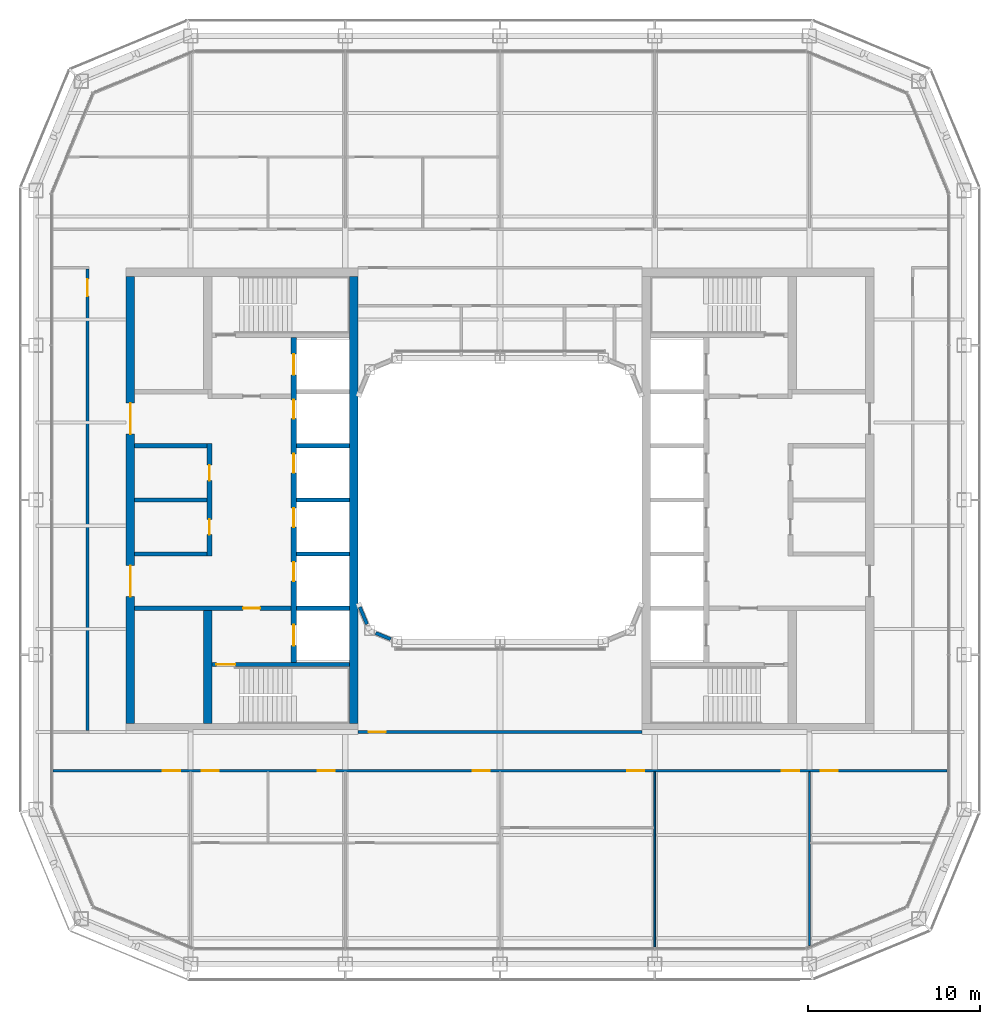
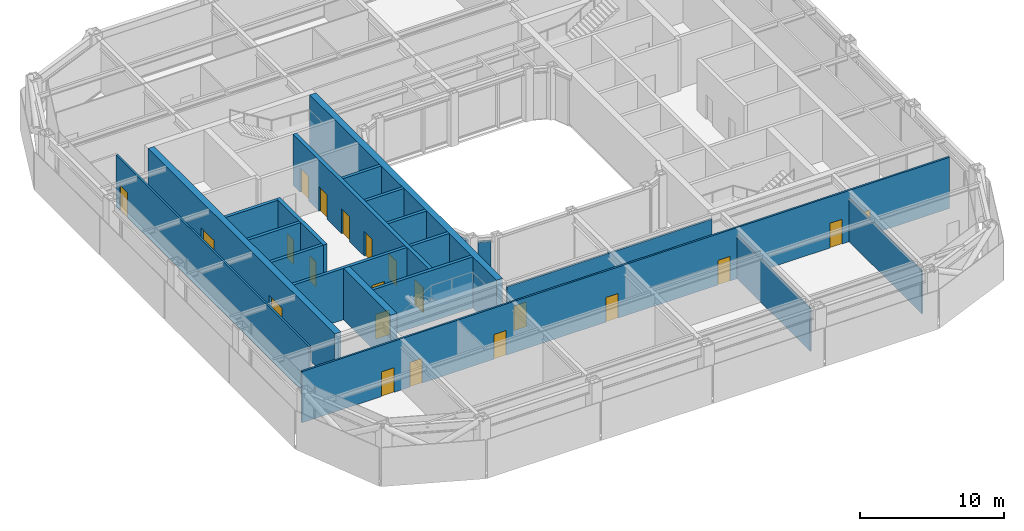
# One storey, part 12 of 19: 21 doors, 21 walls, 21 openings.
"""IFC4 building model written with IfcOpenShell, lengths in metres."""

from ifc_helpers import new_model, si_unit, direction, frame, frame_2d, origin, place, context, subcontext, project, spatial, rectangle, extrude, material, layer, layer_set, type_object, element, fill, save


model = new_model("IFC4")

# Units and contexts
model_context = context("Model", 3, precision=1e-05, world=origin(), true_north=direction((0.0, 1.0)))
body_context = subcontext(model_context, "Body", "Model", "MODEL_VIEW")
ifc_project = project(units=[si_unit("LENGTHUNIT", "METRE"), si_unit("AREAUNIT", "SQUARE_METRE"), si_unit("VOLUMEUNIT", "CUBIC_METRE"), si_unit("PLANEANGLEUNIT", "RADIAN"), si_unit("MASSUNIT", "GRAM", prefix="KILO")], contexts=[model_context])

# Site, building, storey
site_placement = place(None, origin())
site = spatial("IfcSite", under=ifc_project, at=site_placement, CompositionType="ELEMENT")
building_placement = place(site_placement, origin())
building = spatial("IfcBuilding", under=site, at=building_placement, Name="Siwar Civic Tower", CompositionType="ELEMENT")
storey_placement = place(building_placement, frame((0.0, 0.0, 228.699951171875)))
storey = spatial("IfcBuildingStorey", under=building, at=storey_placement, Name="L49", CompositionType="ELEMENT", Elevation=228.699951171875)

# Wall, opening, door
ifc_material_1 = material(Name="Concrete C60/75", Category="concrete")
ifc_layer_1 = layer(ifc_material_1, 0.25)
ifc_layer_set_1 = layer_set([ifc_layer_1], Name="Concrete C60/75")
wall_type_1 = type_object("IfcWallType", Name="CORE-WALL-RC250", PredefinedType="SHEAR", material=ifc_layer_set_1)
wall_1_placement = place(storey_placement, frame((-12.14990234375, -6.300048828125, 0.0), z_axis=(0.0, 0.0, 1.0), x_axis=(-1.0, 0.0, 0.0)))
wall_1 = element("IfcWall", 1, at=wall_1_placement, inside=storey, type_object=wall_type_1, Name="Core wall W", PredefinedType="SHEAR", context=body_context, shape_type="SweptSolid", body=[
    extrude(rectangle(XDim=9.10009765625, YDim=0.25, at=frame_2d((4.550048828125, 0.0))), origin(), (0.0, 0.0, 1.0), 4.35009765625),
])
opening_1_placement = place(wall_1_placement, frame((1.800048828125, 0.0, 0.0)))
opening_1 = element("IfcOpeningElement", 2, at=opening_1_placement, cuts=wall_1, Name="Opening L49-CW02", PredefinedType="OPENING", context=body_context, shape_type="SweptSolid", body=[
    extrude(rectangle(XDim=1.0, YDim=2.10009765625, at=frame_2d((0.5, 1.050048828125))), frame((0.0, 0.135009765625, 0.0), z_axis=(0.0, -1.0, 0.0), x_axis=(1.0, 0.0, 0.0)), (0.0, 0.0, 1.0), 0.27001953125),
])
ifc_material_2 = material(Name="Steel door leaf", Category="steel")
door_type_1 = type_object("IfcDoorType", Name="CORE-DOOR-FD30S", OperationType="SINGLE_SWING_LEFT", PredefinedType="DOOR", material=ifc_material_2)
door_1_placement = place(opening_1_placement, origin())
door_1 = element("IfcDoor", 3, at=door_1_placement, inside=storey, type_object=door_type_1, Name="Service lobby door L49-CW02", OperationType="SINGLE_SWING_RIGHT", OverallHeight=2.10009765625, OverallWidth=1.0, PredefinedType="DOOR", context=body_context, shape_type="SweptSolid", body=[
    extrude(rectangle(XDim=1.0, YDim=2.10009765625, at=frame_2d((0.5, 1.050048828125))), frame((0.0, 0.02490234375, 0.0), z_axis=(0.0, -1.0, 0.0), x_axis=(1.0, 0.0, 0.0)), (0.0, 0.0, 1.0), 0.050048828125),
])
fill(opening_1, door_1)

# Walls
for number, where, z_axis, x_axis, name in (
    (4, (-17.050048828125, 0.0, 0.0), (0.0, 0.0, 1.0), (-1.0, 0.0, 0.0), "Core wall W"),
    (5, (-17.050048828125, 3.14990234375, 0.0), (0.0, 0.0, 1.0), (-1.0, 0.0, 0.0), "Core wall W"),
    (6, (-17.050048828125, -3.14990234375, 0.0), (0.0, 0.0, 1.0), (-1.0, 0.0, 0.0), "Core wall W"),
):
    element("IfcWall", number, at=place(storey_placement, frame(where, z_axis=z_axis, x_axis=x_axis)), inside=storey, type_object=wall_type_1, Name=name, PredefinedType="SHEAR", context=body_context, shape_type="SweptSolid", body=[
        extrude(rectangle(XDim=4.199951171875, YDim=0.25, at=frame_2d((2.10009765625, 0.0))), origin(), (0.0, 0.0, 1.0), 4.35009765625),
    ])
for number, where, z_axis, x_axis, name in (
    (7, (-8.75, 0.0, 0.0), (0.0, 0.0, 1.0), (-1.0, 0.0, 0.0), "Core wall W"),
    (8, (-8.75, 3.14990234375, 0.0), (0.0, 0.0, 1.0), (-1.0, 0.0, 0.0), "Core wall W"),
    (9, (-8.75, -3.14990234375, 0.0), (0.0, 0.0, 1.0), (-1.0, 0.0, 0.0), "Core wall W"),
    (10, (-8.75, -6.300048828125, 0.0), (0.0, 0.0, 1.0), (-1.0, 0.0, 0.0), "Core wall W"),
):
    element("IfcWall", number, at=place(storey_placement, frame(where, z_axis=z_axis, x_axis=x_axis)), inside=storey, type_object=wall_type_1, Name=name, PredefinedType="SHEAR", context=body_context, shape_type="SweptSolid", body=[
        extrude(rectangle(XDim=3.10009765625, YDim=0.25, at=frame_2d((1.550048828125, 0.0))), origin(), (0.0, 0.0, 1.0), 4.35009765625),
    ])

# Wall, opening, door
wall_2_placement = place(storey_placement, frame((-8.75, -9.574951171875, 0.0), z_axis=(0.0, 0.0, 1.0), x_axis=(-1.0, 0.0, 0.0)))
wall_2 = element("IfcWall", 11, at=wall_2_placement, inside=storey, type_object=wall_type_1, Name="Core wall W", PredefinedType="SHEAR", context=body_context, shape_type="SweptSolid", body=[
    extrude(rectangle(XDim=8.0, YDim=0.25, at=frame_2d((4.0, 0.0))), origin(), (0.0, 0.0, 1.0), 4.35009765625),
])
opening_2_placement = place(wall_2_placement, frame((6.64990234375, 0.0, 0.0)))
opening_2 = element("IfcOpeningElement", 12, at=opening_2_placement, cuts=wall_2, Name="Opening L49-CW04", PredefinedType="OPENING", context=body_context, shape_type="SweptSolid", body=[
    extrude(rectangle(XDim=1.10009765625, YDim=2.10009765625, at=frame_2d((0.550048828125, 1.050048828125))), frame((0.0, 0.135009765625, 0.0), z_axis=(0.0, -1.0, 0.0), x_axis=(1.0, 0.0, 0.0)), (0.0, 0.0, 1.0), 0.27001953125),
])
ifc_material_3 = material(Name="Steel door leaf", Category="steel")
door_type_2 = type_object("IfcDoorType", Name="CORE-DOOR-FD60S", OperationType="SINGLE_SWING_LEFT", PredefinedType="DOOR", material=ifc_material_3)
door_2_placement = place(opening_2_placement, origin())
door_2 = element("IfcDoor", 13, at=door_2_placement, inside=storey, type_object=door_type_2, Name="Stair door L49-CW04", OperationType="SINGLE_SWING_LEFT", OverallHeight=2.10009765625, OverallWidth=1.10009765625, PredefinedType="DOOR", context=body_context, shape_type="SweptSolid", body=[
    extrude(rectangle(XDim=1.10009765625, YDim=2.10009765625, at=frame_2d((0.550048828125, 1.050048828125))), frame((0.0, 0.02490234375, 0.0), z_axis=(0.0, -1.0, 0.0), x_axis=(1.0, 0.0, 0.0)), (0.0, 0.0, 1.0), 0.050048828125),
])
fill(opening_2, door_2)

# Wall, openings, doors
ifc_material_4 = material(Name="Concrete C60/75", Category="concrete")
ifc_layer_2 = layer(ifc_material_4, 0.300048828125)
ifc_layer_set_2 = layer_set([ifc_layer_2], Name="Concrete C60/75")
wall_type_2 = type_object("IfcWallType", Name="CORE-WALL-RC300", PredefinedType="SHEAR", material=ifc_layer_set_2)
wall_3_placement = place(storey_placement, frame((-12.0, -9.449951171875, 0.0), z_axis=(0.0, 0.0, 1.0), x_axis=(0.0, 1.0, 0.0)))
wall_3 = element("IfcWall", 14, at=wall_3_placement, inside=storey, type_object=wall_type_2, Name="Core wall W", PredefinedType="SHEAR", context=body_context, shape_type="SweptSolid", body=[
    extrude(rectangle(XDim=18.89990234375, YDim=0.300048828125, at=frame_2d((9.449951171875, 0.0))), origin(), (0.0, 0.0, 1.0), 4.35009765625),
])
opening_3_placement = place(wall_3_placement, frame((4.72509765625, 0.0, 0.0)))
opening_3 = element("IfcOpeningElement", 15, at=opening_3_placement, cuts=wall_3, Name="Opening L49-CW07", PredefinedType="OPENING", context=body_context, shape_type="SweptSolid", body=[
    extrude(rectangle(XDim=1.10009765625, YDim=2.10009765625, at=frame_2d((0.550048828125, 1.050048828125))), frame((0.0, 0.16015625, 0.0), z_axis=(0.0, -1.0, 0.0), x_axis=(1.0, 0.0, 0.0)), (0.0, 0.0, 1.0), 0.320068359375),
])
opening_4_placement = place(wall_3_placement, frame((7.875, 0.0, 0.0)))
opening_4 = element("IfcOpeningElement", 16, at=opening_4_placement, cuts=wall_3, Name="Opening L49-CW08", PredefinedType="OPENING", context=body_context, shape_type="SweptSolid", body=[
    extrude(rectangle(XDim=1.10009765625, YDim=2.10009765625, at=frame_2d((0.550048828125, 1.050048828125))), frame((0.0, 0.16015625, 0.0), z_axis=(0.0, -1.0, 0.0), x_axis=(1.0, 0.0, 0.0)), (0.0, 0.0, 1.0), 0.320068359375),
])
opening_5_placement = place(wall_3_placement, frame((11.02490234375, 0.0, 0.0)))
opening_5 = element("IfcOpeningElement", 17, at=opening_5_placement, cuts=wall_3, Name="Opening L49-CW09", PredefinedType="OPENING", context=body_context, shape_type="SweptSolid", body=[
    extrude(rectangle(XDim=1.10009765625, YDim=2.10009765625, at=frame_2d((0.550048828125, 1.050048828125))), frame((0.0, 0.16015625, 0.0), z_axis=(0.0, -1.0, 0.0), x_axis=(1.0, 0.0, 0.0)), (0.0, 0.0, 1.0), 0.320068359375),
])
opening_6_placement = place(wall_3_placement, frame((14.175048828125, 0.0, 0.0)))
opening_6 = element("IfcOpeningElement", 18, at=opening_6_placement, cuts=wall_3, Name="Opening L49-CW10", PredefinedType="OPENING", context=body_context, shape_type="SweptSolid", body=[
    extrude(rectangle(XDim=1.10009765625, YDim=2.10009765625, at=frame_2d((0.550048828125, 1.050048828125))), frame((0.0, 0.16015625, 0.0), z_axis=(0.0, -1.0, 0.0), x_axis=(1.0, 0.0, 0.0)), (0.0, 0.0, 1.0), 0.320068359375),
])
opening_7_placement = place(wall_3_placement, frame((16.72509765625, 0.0, 0.0)))
opening_7 = element("IfcOpeningElement", 19, at=opening_7_placement, cuts=wall_3, Name="Opening L49-CW11", PredefinedType="OPENING", context=body_context, shape_type="SweptSolid", body=[
    extrude(rectangle(XDim=1.199951171875, YDim=2.10009765625, at=frame_2d((0.60009765625, 1.050048828125))), frame((0.0, 0.16015625, 0.0), z_axis=(0.0, -1.0, 0.0), x_axis=(1.0, 0.0, 0.0)), (0.0, 0.0, 1.0), 0.320068359375),
])
opening_8_placement = place(wall_3_placement, frame((0.97509765625, 0.0, 0.0)))
opening_8 = element("IfcOpeningElement", 20, at=opening_8_placement, cuts=wall_3, Name="Opening L49-CW12", PredefinedType="OPENING", context=body_context, shape_type="SweptSolid", body=[
    extrude(rectangle(XDim=1.199951171875, YDim=2.10009765625, at=frame_2d((0.60009765625, 1.050048828125))), frame((0.0, 0.16015625, 0.0), z_axis=(0.0, -1.0, 0.0), x_axis=(1.0, 0.0, 0.0)), (0.0, 0.0, 1.0), 0.320068359375),
])
ifc_material_5 = material(Name="Steel door leaf", Category="steel")
door_type_3 = type_object("IfcDoorType", Name="CORE-DOOR-LD", OperationType="DOUBLE_DOOR_SLIDING", PredefinedType="DOOR", material=ifc_material_5)
door_3_placement = place(opening_3_placement, origin())
door_3 = element("IfcDoor", 21, at=door_3_placement, inside=storey, type_object=door_type_3, Name="Landing door HR1 L49-CW07", OperationType="DOUBLE_DOOR_SLIDING", OverallHeight=2.10009765625, OverallWidth=1.10009765625, PredefinedType="DOOR", context=body_context, shape_type="SweptSolid", body=[
    extrude(rectangle(XDim=1.10009765625, YDim=2.10009765625, at=frame_2d((0.550048828125, 1.050048828125))), frame((0.0, 0.02490234375, 0.0), z_axis=(0.0, -1.0, 0.0), x_axis=(1.0, 0.0, 0.0)), (0.0, 0.0, 1.0), 0.050048828125),
])
fill(opening_3, door_3)
door_4_placement = place(opening_4_placement, origin())
door_4 = element("IfcDoor", 22, at=door_4_placement, inside=storey, type_object=door_type_3, Name="Landing door HR2 L49-CW08", OperationType="DOUBLE_DOOR_SLIDING", OverallHeight=2.10009765625, OverallWidth=1.10009765625, PredefinedType="DOOR", context=body_context, shape_type="SweptSolid", body=[
    extrude(rectangle(XDim=1.10009765625, YDim=2.10009765625, at=frame_2d((0.550048828125, 1.050048828125))), frame((0.0, 0.02490234375, 0.0), z_axis=(0.0, -1.0, 0.0), x_axis=(1.0, 0.0, 0.0)), (0.0, 0.0, 1.0), 0.050048828125),
])
fill(opening_4, door_4)
door_5_placement = place(opening_5_placement, origin())
door_5 = element("IfcDoor", 23, at=door_5_placement, inside=storey, type_object=door_type_3, Name="Landing door HR3 L49-CW09", OperationType="DOUBLE_DOOR_SLIDING", OverallHeight=2.10009765625, OverallWidth=1.10009765625, PredefinedType="DOOR", context=body_context, shape_type="SweptSolid", body=[
    extrude(rectangle(XDim=1.10009765625, YDim=2.10009765625, at=frame_2d((0.550048828125, 1.050048828125))), frame((0.0, 0.02490234375, 0.0), z_axis=(0.0, -1.0, 0.0), x_axis=(1.0, 0.0, 0.0)), (0.0, 0.0, 1.0), 0.050048828125),
])
fill(opening_5, door_5)
door_6_placement = place(opening_6_placement, origin())
door_6 = element("IfcDoor", 24, at=door_6_placement, inside=storey, type_object=door_type_3, Name="Landing door HR4 L49-CW10", OperationType="DOUBLE_DOOR_SLIDING", OverallHeight=2.10009765625, OverallWidth=1.10009765625, PredefinedType="DOOR", context=body_context, shape_type="SweptSolid", body=[
    extrude(rectangle(XDim=1.10009765625, YDim=2.10009765625, at=frame_2d((0.550048828125, 1.050048828125))), frame((0.0, 0.02490234375, 0.0), z_axis=(0.0, -1.0, 0.0), x_axis=(1.0, 0.0, 0.0)), (0.0, 0.0, 1.0), 0.050048828125),
])
fill(opening_6, door_6)
ifc_material_6 = material(Name="Steel door leaf", Category="steel")
door_type_4 = type_object("IfcDoorType", Name="CORE-DOOR-LDW", OperationType="DOUBLE_DOOR_SLIDING", PredefinedType="DOOR", material=ifc_material_6)
door_7_placement = place(opening_7_placement, origin())
door_7 = element("IfcDoor", 25, at=door_7_placement, inside=storey, type_object=door_type_4, Name="Landing door FF1 L49-CW11", OperationType="DOUBLE_DOOR_SLIDING", OverallHeight=2.10009765625, OverallWidth=1.199951171875, PredefinedType="DOOR", context=body_context, shape_type="SweptSolid", body=[
    extrude(rectangle(XDim=1.199951171875, YDim=2.10009765625, at=frame_2d((0.60009765625, 1.050048828125))), frame((0.0, 0.02490234375, 0.0), z_axis=(0.0, -1.0, 0.0), x_axis=(1.0, 0.0, 0.0)), (0.0, 0.0, 1.0), 0.050048828125),
])
fill(opening_7, door_7)
door_8_placement = place(opening_8_placement, origin())
door_8 = element("IfcDoor", 26, at=door_8_placement, inside=storey, type_object=door_type_4, Name="Landing door SV1 L49-CW12", OperationType="DOUBLE_DOOR_SLIDING", OverallHeight=2.10009765625, OverallWidth=1.199951171875, PredefinedType="DOOR", context=body_context, shape_type="SweptSolid", body=[
    extrude(rectangle(XDim=1.199951171875, YDim=2.10009765625, at=frame_2d((0.60009765625, 1.050048828125))), frame((0.0, 0.02490234375, 0.0), z_axis=(0.0, -1.0, 0.0), x_axis=(1.0, 0.0, 0.0)), (0.0, 0.0, 1.0), 0.050048828125),
])
fill(opening_8, door_8)

wall_4_placement = place(storey_placement, frame((-16.89990234375, -3.27490234375, 0.0), z_axis=(0.0, 0.0, 1.0), x_axis=(0.0, 1.0, 0.0)))
wall_4 = element("IfcWall", 27, at=wall_4_placement, inside=storey, type_object=wall_type_2, Name="Core wall W", PredefinedType="SHEAR", context=body_context, shape_type="SweptSolid", body=[
    extrude(rectangle(XDim=6.5498046875, YDim=0.300048828125, at=frame_2d((3.27490234375, 0.0))), origin(), (0.0, 0.0, 1.0), 4.35009765625),
])
opening_9_placement = place(wall_4_placement, frame((1.25, 0.0, 0.0)))
opening_9 = element("IfcOpeningElement", 28, at=opening_9_placement, cuts=wall_4, Name="Opening L49-CW13", PredefinedType="OPENING", context=body_context, shape_type="SweptSolid", body=[
    extrude(rectangle(XDim=0.89990234375, YDim=2.10009765625, at=frame_2d((0.449951171875, 1.050048828125))), frame((0.0, 0.16015625, 0.0), z_axis=(0.0, -1.0, 0.0), x_axis=(1.0, 0.0, 0.0)), (0.0, 0.0, 1.0), 0.320068359375),
])
opening_10_placement = place(wall_4_placement, frame((4.39990234375, 0.0, 0.0)))
opening_10 = element("IfcOpeningElement", 29, at=opening_10_placement, cuts=wall_4, Name="Opening L49-CW14", PredefinedType="OPENING", context=body_context, shape_type="SweptSolid", body=[
    extrude(rectangle(XDim=0.89990234375, YDim=2.10009765625, at=frame_2d((0.449951171875, 1.050048828125))), frame((0.0, 0.16015625, 0.0), z_axis=(0.0, -1.0, 0.0), x_axis=(1.0, 0.0, 0.0)), (0.0, 0.0, 1.0), 0.320068359375),
])
ifc_material_7 = material(Name="Steel door leaf", Category="steel")
door_type_5 = type_object("IfcDoorType", Name="CORE-DOOR-ROOM", OperationType="SINGLE_SWING_LEFT", PredefinedType="DOOR", material=ifc_material_7)
door_9_placement = place(opening_9_placement, origin())
door_9 = element("IfcDoor", 30, at=door_9_placement, inside=storey, type_object=door_type_5, Name="Core room door L49-CW13", OperationType="SINGLE_SWING_LEFT", OverallHeight=2.10009765625, OverallWidth=0.89990234375, PredefinedType="DOOR", context=body_context, shape_type="SweptSolid", body=[
    extrude(rectangle(XDim=0.89990234375, YDim=2.10009765625, at=frame_2d((0.449951171875, 1.050048828125))), frame((0.0, 0.02490234375, 0.0), z_axis=(0.0, -1.0, 0.0), x_axis=(1.0, 0.0, 0.0)), (0.0, 0.0, 1.0), 0.050048828125),
])
fill(opening_9, door_9)
door_10_placement = place(opening_10_placement, origin())
door_10 = element("IfcDoor", 31, at=door_10_placement, inside=storey, type_object=door_type_5, Name="Core room door L49-CW14", OperationType="SINGLE_SWING_RIGHT", OverallHeight=2.10009765625, OverallWidth=0.89990234375, PredefinedType="DOOR", context=body_context, shape_type="SweptSolid", body=[
    extrude(rectangle(XDim=0.89990234375, YDim=2.10009765625, at=frame_2d((0.449951171875, 1.050048828125))), frame((0.0, 0.02490234375, 0.0), z_axis=(0.0, -1.0, 0.0), x_axis=(1.0, 0.0, 0.0)), (0.0, 0.0, 1.0), 0.050048828125),
])
fill(opening_10, door_10)

ifc_material_8 = material(Name="Concrete C60/75", Category="concrete")
ifc_layer_3 = layer(ifc_material_8, 0.5)
ifc_layer_set_3 = layer_set([ifc_layer_3], Name="Concrete C60/75")
wall_type_3 = type_object("IfcWallType", Name="CORE-WALL-RC500", PredefinedType="SHEAR", material=ifc_layer_set_3)
wall_5_placement = place(storey_placement, frame((-21.5, -13.0, 0.0), z_axis=(0.0, 0.0, 1.0), x_axis=(0.0, 1.0, 0.0)))
wall_5 = element("IfcWall", 32, at=wall_5_placement, inside=storey, type_object=wall_type_3, Name="Core wall W", PredefinedType="SHEAR", context=body_context, shape_type="SweptSolid", body=[
    extrude(rectangle(XDim=26.0, YDim=0.5, at=frame_2d((13.0, 0.0))), origin(), (0.0, 0.0, 1.0), 4.35009765625),
])
opening_11_placement = place(wall_5_placement, frame((16.824951171875, 0.0, 0.0)))
opening_11 = element("IfcOpeningElement", 33, at=opening_11_placement, cuts=wall_5, Name="Opening L49-CW05", PredefinedType="OPENING", context=body_context, shape_type="SweptSolid", body=[
    extrude(rectangle(XDim=1.800048828125, YDim=2.10009765625, at=frame_2d((0.89990234375, 1.050048828125))), frame((0.0, 0.260009765625, 0.0), z_axis=(0.0, -1.0, 0.0), x_axis=(1.0, 0.0, 0.0)), (0.0, 0.0, 1.0), 0.52001953125),
])
opening_12_placement = place(wall_5_placement, frame((7.375, 0.0, 0.0)))
opening_12 = element("IfcOpeningElement", 34, at=opening_12_placement, cuts=wall_5, Name="Opening L49-CW06", PredefinedType="OPENING", context=body_context, shape_type="SweptSolid", body=[
    extrude(rectangle(XDim=1.800048828125, YDim=2.10009765625, at=frame_2d((0.89990234375, 1.050048828125))), frame((0.0, 0.260009765625, 0.0), z_axis=(0.0, -1.0, 0.0), x_axis=(1.0, 0.0, 0.0)), (0.0, 0.0, 1.0), 0.52001953125),
])
ifc_material_9 = material(Name="Steel door leaf", Category="steel")
door_type_6 = type_object("IfcDoorType", Name="CORE-DOOR-PORT", OperationType="DOUBLE_DOOR_DOUBLE_SWING", PredefinedType="DOOR", material=ifc_material_9)
door_11_placement = place(opening_11_placement, origin())
door_11 = element("IfcDoor", 35, at=door_11_placement, inside=storey, type_object=door_type_6, Name="Core entrance door L49-CW05", OperationType="DOUBLE_DOOR_DOUBLE_SWING", OverallHeight=2.10009765625, OverallWidth=1.800048828125, PredefinedType="DOOR", context=body_context, shape_type="SweptSolid", body=[
    extrude(rectangle(XDim=1.800048828125, YDim=2.10009765625, at=frame_2d((0.89990234375, 1.050048828125))), frame((0.0, 0.02490234375, 0.0), z_axis=(0.0, -1.0, 0.0), x_axis=(1.0, 0.0, 0.0)), (0.0, 0.0, 1.0), 0.050048828125),
])
fill(opening_11, door_11)
door_12_placement = place(opening_12_placement, origin())
door_12 = element("IfcDoor", 36, at=door_12_placement, inside=storey, type_object=door_type_6, Name="Core entrance door L49-CW06", OperationType="DOUBLE_DOOR_DOUBLE_SWING", OverallHeight=2.10009765625, OverallWidth=1.800048828125, PredefinedType="DOOR", context=body_context, shape_type="SweptSolid", body=[
    extrude(rectangle(XDim=1.800048828125, YDim=2.10009765625, at=frame_2d((0.89990234375, 1.050048828125))), frame((0.0, 0.02490234375, 0.0), z_axis=(0.0, -1.0, 0.0), x_axis=(1.0, 0.0, 0.0)), (0.0, 0.0, 1.0), 0.050048828125),
])
fill(opening_12, door_12)

# Walls
wall_6_placement = place(storey_placement, frame((-17.0, -13.0, 0.0), z_axis=(0.0, 0.0, 1.0), x_axis=(0.0, 1.0, 0.0)))
element("IfcWall", 37, at=wall_6_placement, inside=storey, type_object=wall_type_3, Name="Core wall W", PredefinedType="SHEAR", context=body_context, shape_type="SweptSolid", body=[
    extrude(rectangle(XDim=6.574951171875, YDim=0.5, at=frame_2d((3.28759765625, 0.0))), origin(), (0.0, 0.0, 1.0), 4.35009765625),
])
ifc_material_10 = material(Name="Concrete C60/75", Category="concrete")
ifc_layer_4 = layer(ifc_material_10, 0.5)
ifc_layer_set_4 = layer_set([ifc_layer_4], Name="Concrete C60/75")
wall_type_4 = type_object("IfcWallType", Name="CORE-WALL-RC500-EXT", PredefinedType="SHEAR", material=ifc_layer_set_4)
wall_7_placement = place(storey_placement, frame((-8.5, -13.0, 0.0), z_axis=(0.0, 0.0, 1.0), x_axis=(0.0, 1.0, 0.0)))
element("IfcWall", 38, at=wall_7_placement, inside=storey, type_object=wall_type_4, Name="Core wall W", PredefinedType="SHEAR", context=body_context, shape_type="SweptSolid", body=[
    extrude(rectangle(XDim=26.0, YDim=0.5, at=frame_2d((13.0, 0.0))), origin(), (0.0, 0.0, 1.0), 4.35009765625),
])

# Wall, openings, doors
ifc_material_11 = material(Name="Gypsum board on steel studs", Category="steel")
ifc_layer_5 = layer(ifc_material_11, 0.14990234375)
ifc_layer_set_5 = layer_set([ifc_layer_5], Name="Gypsum board on steel studs")
wall_type_5 = type_object("IfcWallType", Name="CORRIDOR PARTITION 150 EI 30", PredefinedType="PARTITIONING", material=ifc_layer_set_5)
wall_8_placement = place(storey_placement, frame((-26.010009765625, -15.75, 0.0), z_axis=(0.0, 0.0, 1.0), x_axis=(1.0, 0.0, 0.0)))
wall_8 = element("IfcWall", 39, at=wall_8_placement, inside=storey, type_object=wall_type_5, Name="L49/wall/P04", PredefinedType="PARTITIONING", context=body_context, shape_type="SweptSolid", body=[
    extrude(rectangle(XDim=52.02001953125, YDim=0.14990234375, at=frame_2d((26.010009765625, 0.0))), origin(), (0.0, 0.0, 1.0), 4.35009765625),
])
opening_13_placement = place(wall_8_placement, frame((8.659912109375, 0.0, 0.0)))
opening_13 = element("IfcOpeningElement", 40, at=opening_13_placement, cuts=wall_8, Name="Opening D1", PredefinedType="OPENING", context=body_context, shape_type="SweptSolid", body=[
    extrude(rectangle(XDim=1.0, YDim=2.10009765625, at=frame_2d((0.5, 1.050048828125))), frame((0.0, 0.0849609375, 0.0), z_axis=(0.0, -1.0, 0.0), x_axis=(1.0, 0.0, 0.0)), (0.0, 0.0, 1.0), 0.169921875),
])
opening_14_placement = place(wall_8_placement, frame((15.409912109375, 0.0, 0.0)))
opening_14 = element("IfcOpeningElement", 41, at=opening_14_placement, cuts=wall_8, Name="Opening D1", PredefinedType="OPENING", context=body_context, shape_type="SweptSolid", body=[
    extrude(rectangle(XDim=1.0, YDim=2.10009765625, at=frame_2d((0.5, 1.050048828125))), frame((0.0, 0.0849609375, 0.0), z_axis=(0.0, -1.0, 0.0), x_axis=(1.0, 0.0, 0.0)), (0.0, 0.0, 1.0), 0.169921875),
])
opening_15_placement = place(wall_8_placement, frame((24.409912109375, 0.0, 0.0)))
opening_15 = element("IfcOpeningElement", 42, at=opening_15_placement, cuts=wall_8, Name="Opening D1", PredefinedType="OPENING", context=body_context, shape_type="SweptSolid", body=[
    extrude(rectangle(XDim=1.0, YDim=2.10009765625, at=frame_2d((0.5, 1.050048828125))), frame((0.0, 0.0849609375, 0.0), z_axis=(0.0, -1.0, 0.0), x_axis=(1.0, 0.0, 0.0)), (0.0, 0.0, 1.0), 0.169921875),
])
opening_16_placement = place(wall_8_placement, frame((33.409912109375, 0.0, 0.0)))
opening_16 = element("IfcOpeningElement", 43, at=opening_16_placement, cuts=wall_8, Name="Opening D1", PredefinedType="OPENING", context=body_context, shape_type="SweptSolid", body=[
    extrude(rectangle(XDim=1.0, YDim=2.10009765625, at=frame_2d((0.5, 1.050048828125))), frame((0.0, 0.0849609375, 0.0), z_axis=(0.0, -1.0, 0.0), x_axis=(1.0, 0.0, 0.0)), (0.0, 0.0, 1.0), 0.169921875),
])
opening_17_placement = place(wall_8_placement, frame((42.409912109375, 0.0, 0.0)))
opening_17 = element("IfcOpeningElement", 44, at=opening_17_placement, cuts=wall_8, Name="Opening D1", PredefinedType="OPENING", context=body_context, shape_type="SweptSolid", body=[
    extrude(rectangle(XDim=1.0, YDim=2.10009765625, at=frame_2d((0.5, 1.050048828125))), frame((0.0, 0.0849609375, 0.0), z_axis=(0.0, -1.0, 0.0), x_axis=(1.0, 0.0, 0.0)), (0.0, 0.0, 1.0), 0.169921875),
])
opening_18_placement = place(wall_8_placement, frame((6.39990234375, 0.0, 0.0)))
opening_18 = element("IfcOpeningElement", 45, at=opening_18_placement, cuts=wall_8, Name="Opening D1", PredefinedType="OPENING", context=body_context, shape_type="SweptSolid", body=[
    extrude(rectangle(XDim=1.0, YDim=2.10009765625, at=frame_2d((0.5, 1.050048828125))), frame((0.0, 0.0849609375, 0.0), z_axis=(0.0, -1.0, 0.0), x_axis=(1.0, 0.0, 0.0)), (0.0, 0.0, 1.0), 0.169921875),
])
opening_19_placement = place(wall_8_placement, frame((44.659912109375, 0.0, 0.0)))
opening_19 = element("IfcOpeningElement", 46, at=opening_19_placement, cuts=wall_8, Name="Opening D1", PredefinedType="OPENING", context=body_context, shape_type="SweptSolid", body=[
    extrude(rectangle(XDim=1.0, YDim=2.10009765625, at=frame_2d((0.5, 1.050048828125))), frame((0.0, 0.0849609375, 0.0), z_axis=(0.0, -1.0, 0.0), x_axis=(1.0, 0.0, 0.0)), (0.0, 0.0, 1.0), 0.169921875),
])
ifc_material_12 = material(Name="Timber, painted", Category="wood")
door_type_7 = type_object("IfcDoorType", Name="DOOR 1000 X 2100 FD30", OperationType="SINGLE_SWING_LEFT", PredefinedType="DOOR", material=ifc_material_12)
door_13_placement = place(opening_13_placement, origin())
door_13 = element("IfcDoor", 47, at=door_13_placement, inside=storey, type_object=door_type_7, Name="L49-D09", OperationType="SINGLE_SWING_LEFT", OverallHeight=2.10009765625, OverallWidth=1.0, PredefinedType="DOOR", context=body_context, shape_type="SweptSolid", body=[
    extrude(rectangle(XDim=1.0, YDim=2.10009765625, at=frame_2d((0.5, 1.050048828125))), frame((0.0, 0.02490234375, 0.0), z_axis=(0.0, -1.0, 0.0), x_axis=(1.0, 0.0, 0.0)), (0.0, 0.0, 1.0), 0.050048828125),
])
fill(opening_13, door_13)
door_14_placement = place(opening_14_placement, origin())
door_14 = element("IfcDoor", 48, at=door_14_placement, inside=storey, type_object=door_type_7, Name="L49-D10", OperationType="SINGLE_SWING_RIGHT", OverallHeight=2.10009765625, OverallWidth=1.0, PredefinedType="DOOR", context=body_context, shape_type="SweptSolid", body=[
    extrude(rectangle(XDim=1.0, YDim=2.10009765625, at=frame_2d((0.5, 1.050048828125))), frame((0.0, 0.02490234375, 0.0), z_axis=(0.0, -1.0, 0.0), x_axis=(1.0, 0.0, 0.0)), (0.0, 0.0, 1.0), 0.050048828125),
])
fill(opening_14, door_14)
door_15_placement = place(opening_15_placement, origin())
door_15 = element("IfcDoor", 49, at=door_15_placement, inside=storey, type_object=door_type_7, Name="L49-D12", OperationType="SINGLE_SWING_RIGHT", OverallHeight=2.10009765625, OverallWidth=1.0, PredefinedType="DOOR", context=body_context, shape_type="SweptSolid", body=[
    extrude(rectangle(XDim=1.0, YDim=2.10009765625, at=frame_2d((0.5, 1.050048828125))), frame((0.0, 0.02490234375, 0.0), z_axis=(0.0, -1.0, 0.0), x_axis=(1.0, 0.0, 0.0)), (0.0, 0.0, 1.0), 0.050048828125),
])
fill(opening_15, door_15)
door_16_placement = place(opening_16_placement, origin())
door_16 = element("IfcDoor", 50, at=door_16_placement, inside=storey, type_object=door_type_7, Name="L49-D14", OperationType="SINGLE_SWING_RIGHT", OverallHeight=2.10009765625, OverallWidth=1.0, PredefinedType="DOOR", context=body_context, shape_type="SweptSolid", body=[
    extrude(rectangle(XDim=1.0, YDim=2.10009765625, at=frame_2d((0.5, 1.050048828125))), frame((0.0, 0.02490234375, 0.0), z_axis=(0.0, -1.0, 0.0), x_axis=(1.0, 0.0, 0.0)), (0.0, 0.0, 1.0), 0.050048828125),
])
fill(opening_16, door_16)
door_17_placement = place(opening_17_placement, origin())
door_17 = element("IfcDoor", 51, at=door_17_placement, inside=storey, type_object=door_type_7, Name="L49-D16", OperationType="SINGLE_SWING_RIGHT", OverallHeight=2.10009765625, OverallWidth=1.0, PredefinedType="DOOR", context=body_context, shape_type="SweptSolid", body=[
    extrude(rectangle(XDim=1.0, YDim=2.10009765625, at=frame_2d((0.5, 1.050048828125))), frame((0.0, 0.02490234375, 0.0), z_axis=(0.0, -1.0, 0.0), x_axis=(1.0, 0.0, 0.0)), (0.0, 0.0, 1.0), 0.050048828125),
])
fill(opening_17, door_17)
door_18_placement = place(opening_18_placement, origin())
door_18 = element("IfcDoor", 52, at=door_18_placement, inside=storey, type_object=door_type_7, Name="L49-D20", OperationType="SINGLE_SWING_RIGHT", OverallHeight=2.10009765625, OverallWidth=1.0, PredefinedType="DOOR", context=body_context, shape_type="SweptSolid", body=[
    extrude(rectangle(XDim=1.0, YDim=2.10009765625, at=frame_2d((0.5, 1.050048828125))), frame((0.0, 0.02490234375, 0.0), z_axis=(0.0, -1.0, 0.0), x_axis=(1.0, 0.0, 0.0)), (0.0, 0.0, 1.0), 0.050048828125),
])
fill(opening_18, door_18)
door_19_placement = place(opening_19_placement, origin())
door_19 = element("IfcDoor", 53, at=door_19_placement, inside=storey, type_object=door_type_7, Name="L49-D21", OperationType="SINGLE_SWING_LEFT", OverallHeight=2.10009765625, OverallWidth=1.0, PredefinedType="DOOR", context=body_context, shape_type="SweptSolid", body=[
    extrude(rectangle(XDim=1.0, YDim=2.10009765625, at=frame_2d((0.5, 1.050048828125))), frame((0.0, 0.02490234375, 0.0), z_axis=(0.0, -1.0, 0.0), x_axis=(1.0, 0.0, 0.0)), (0.0, 0.0, 1.0), 0.050048828125),
])
fill(opening_19, door_19)

# Wall, opening, door
wall_9_placement = place(storey_placement, frame((-8.25, -13.5, 0.0), z_axis=(0.0, 0.0, 1.0), x_axis=(1.0, 0.0, 0.0)))
wall_9 = element("IfcWall", 54, at=wall_9_placement, inside=storey, type_object=wall_type_5, Name="L49/wall/P06", PredefinedType="PARTITIONING", context=body_context, shape_type="SweptSolid", body=[
    extrude(rectangle(XDim=16.5, YDim=0.14990234375, at=frame_2d((8.25, 0.0))), origin(), (0.0, 0.0, 1.0), 3.949951171875),
])
opening_20_placement = place(wall_9_placement, frame((0.60009765625, 0.0, 0.0)))
opening_20 = element("IfcOpeningElement", 55, at=opening_20_placement, cuts=wall_9, Name="Opening D1", PredefinedType="OPENING", context=body_context, shape_type="SweptSolid", body=[
    extrude(rectangle(XDim=1.0, YDim=2.10009765625, at=frame_2d((0.5, 1.050048828125))), frame((0.0, 0.0849609375, 0.0), z_axis=(0.0, -1.0, 0.0), x_axis=(1.0, 0.0, 0.0)), (0.0, 0.0, 1.0), 0.169921875),
])
door_20_placement = place(opening_20_placement, origin())
door_20 = element("IfcDoor", 56, at=door_20_placement, inside=storey, type_object=door_type_7, Name="L49-D30", OperationType="SINGLE_SWING_RIGHT", OverallHeight=2.10009765625, OverallWidth=1.0, PredefinedType="DOOR", context=body_context, shape_type="SweptSolid", body=[
    extrude(rectangle(XDim=1.0, YDim=2.10009765625, at=frame_2d((0.5, 1.050048828125))), frame((0.0, 0.02490234375, 0.0), z_axis=(0.0, -1.0, 0.0), x_axis=(1.0, 0.0, 0.0)), (0.0, 0.0, 1.0), 0.050048828125),
])
fill(opening_20, door_20)

wall_10_placement = place(storey_placement, frame((-24.0, -13.425048828125, 0.0), z_axis=(0.0, 0.0, 1.0), x_axis=(0.0, 1.0, 0.0)))
wall_10 = element("IfcWall", 57, at=wall_10_placement, inside=storey, type_object=wall_type_5, Name="L49/wall/P15", PredefinedType="PARTITIONING", context=body_context, shape_type="SweptSolid", body=[
    extrude(rectangle(XDim=26.85009765625, YDim=0.14990234375, at=frame_2d((13.425048828125, 0.0))), origin(), (0.0, 0.0, 1.0), 4.35009765625),
])
opening_21_placement = place(wall_10_placement, frame((25.27490234375, 0.0, 0.0)))
opening_21 = element("IfcOpeningElement", 58, at=opening_21_placement, cuts=wall_10, Name="Opening D1", PredefinedType="OPENING", context=body_context, shape_type="SweptSolid", body=[
    extrude(rectangle(XDim=1.0, YDim=2.10009765625, at=frame_2d((0.5, 1.050048828125))), frame((0.0, 0.0849609375, 0.0), z_axis=(0.0, -1.0, 0.0), x_axis=(1.0, 0.0, 0.0)), (0.0, 0.0, 1.0), 0.169921875),
])
door_21_placement = place(opening_21_placement, origin())
door_21 = element("IfcDoor", 59, at=door_21_placement, inside=storey, type_object=door_type_7, Name="L49-D23", OperationType="SINGLE_SWING_LEFT", OverallHeight=2.10009765625, OverallWidth=1.0, PredefinedType="DOOR", context=body_context, shape_type="SweptSolid", body=[
    extrude(rectangle(XDim=1.0, YDim=2.10009765625, at=frame_2d((0.5, 1.050048828125))), frame((0.0, 0.02490234375, 0.0), z_axis=(0.0, -1.0, 0.0), x_axis=(1.0, 0.0, 0.0)), (0.0, 0.0, 1.0), 0.050048828125),
])
fill(opening_21, door_21)

# Walls
ifc_material_13 = material(Name="Aluminium clad insulated panel", Category="aluminium")
ifc_layer_6 = layer(ifc_material_13, 0.199951171875)
ifc_layer_set_6 = layer_set([ifc_layer_6], Name="Aluminium clad insulated panel")
wall_type_6 = type_object("IfcWallType", Name="ENV-WALL-WELL", PredefinedType="STANDARD", material=ifc_layer_set_6)
wall_11_placement = place(storey_placement, frame((-8.154296875, -6.23095703125, 0.0), z_axis=(0.0, 0.0, 1.0), x_axis=(0.382704496366, -0.923870807235, 0.0)))
element("IfcWall", 60, at=wall_11_placement, inside=storey, type_object=wall_type_6, Name="Light well corner wall SW1", PredefinedType="STANDARD", context=body_context, shape_type="SweptSolid", body=[
    extrude(rectangle(XDim=1.080078125, YDim=0.199951171875, at=frame_2d((0.5400390625, 0.0))), origin(), (0.0, 0.0, 1.0), 3.91796875),
])
wall_12_placement = place(storey_placement, frame((-7.228759765625, -7.740966796875, 0.0), z_axis=(0.0, 0.0, 1.0), x_axis=(0.923829670615, -0.382803787458, 0.0)))
element("IfcWall", 61, at=wall_12_placement, inside=storey, type_object=wall_type_6, Name="Light well corner wall SW2", PredefinedType="STANDARD", context=body_context, shape_type="SweptSolid", body=[
    extrude(rectangle(XDim=0.938232421875, YDim=0.199951171875, at=frame_2d((0.46923828125, 0.0))), origin(), (0.0, 0.0, 1.0), 3.91796875),
])
ifc_material_14 = material(Name="Gypsum board on steel studs", Category="steel")
ifc_layer_7 = layer(ifc_material_14, 0.10009765625)
ifc_layer_set_7 = layer_set([ifc_layer_7], Name="Gypsum board on steel studs")
wall_type_7 = type_object("IfcWallType", Name="PARTITION 100 GYPSUM", PredefinedType="PARTITIONING", material=ifc_layer_set_7)
wall_13_placement = place(storey_placement, frame((9.0, -26.010009765625, 0.0), z_axis=(0.0, 0.0, 1.0), x_axis=(0.0, 1.0, 0.0)))
element("IfcWall", 62, at=wall_13_placement, inside=storey, type_object=wall_type_7, Name="L49/wall/P31", PredefinedType="PARTITIONING", context=body_context, shape_type="SweptSolid", body=[
    extrude(rectangle(XDim=10.18505859375, YDim=0.10009765625, at=frame_2d((5.092529296875, 0.0))), origin(), (0.0, 0.0, 1.0), 3.650146484375),
])
wall_14_placement = place(storey_placement, frame((18.0, -25.927978515625, 0.0), z_axis=(0.0, 0.0, 1.0), x_axis=(0.0, 1.0, 0.0)))
element("IfcWall", 63, at=wall_14_placement, inside=storey, type_object=wall_type_7, Name="L49/wall/P33", PredefinedType="PARTITIONING", context=body_context, shape_type="SweptSolid", body=[
    extrude(rectangle(XDim=10.10302734375, YDim=0.10009765625, at=frame_2d((5.051513671875, 0.0))), origin(), (0.0, 0.0, 1.0), 3.650146484375),
])

save(model, "model.ifc")
